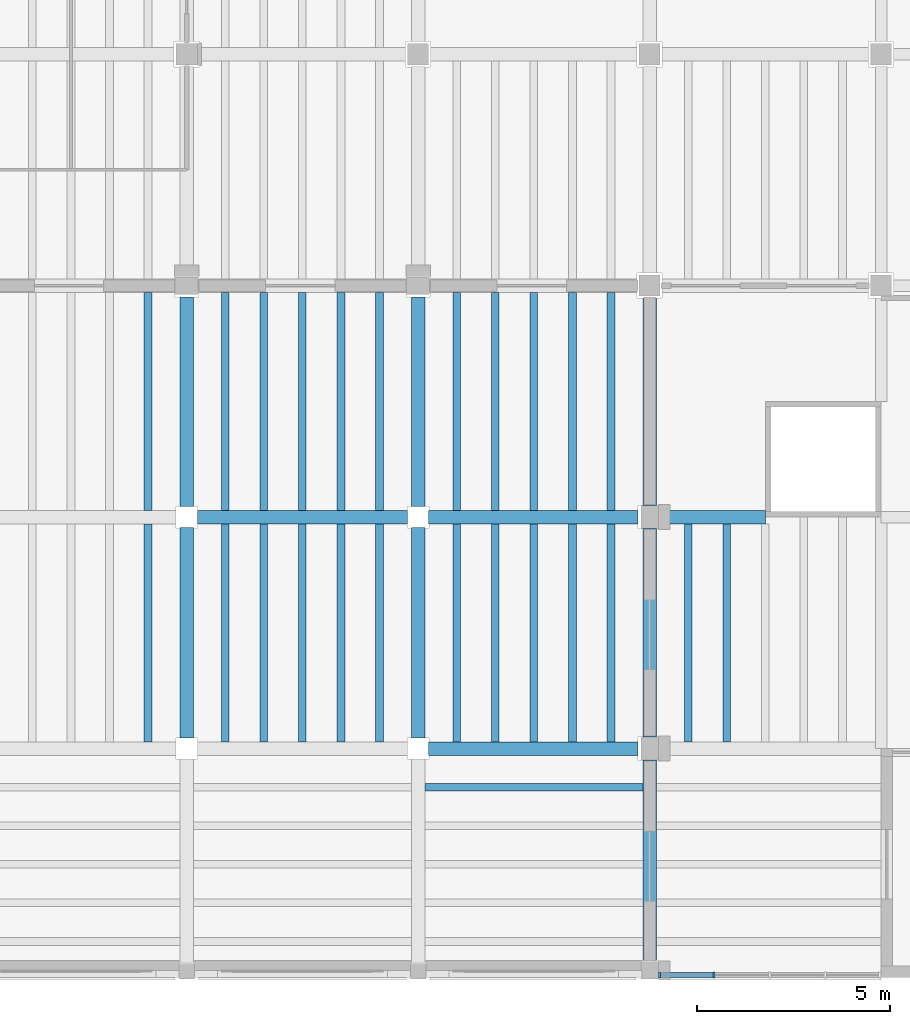
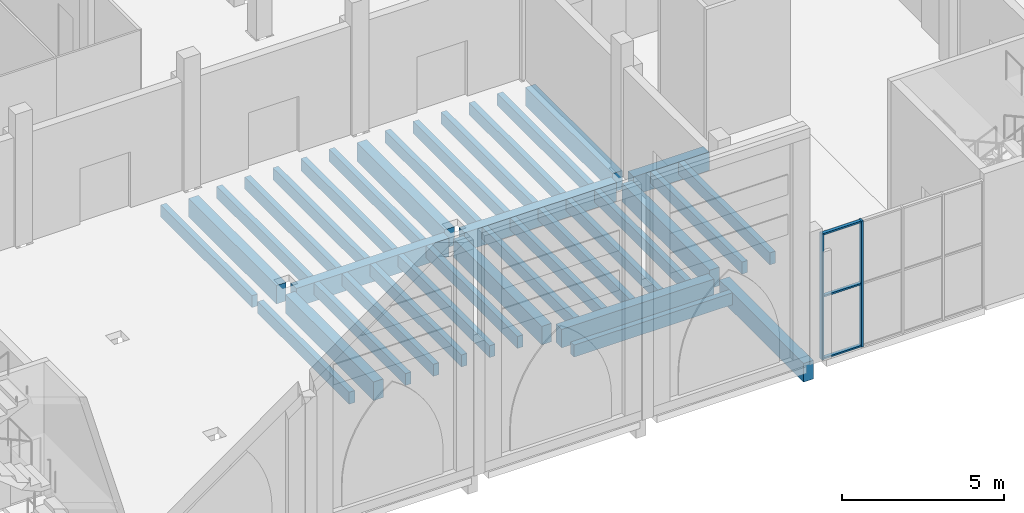
# One storey, part 2 of 80: 36 beams, 5 members, 1 element without a shape of its own.
"""IFC4 building model written with IfcOpenShell, lengths in metres."""

from ifc_helpers import new_model, si_unit, direction, frame, origin, origin_2d, place, context, subcontext, project, spatial, rectangle, extrude, material, material_profile, profile_set, type_object, element, aggregate, save


model = new_model("IFC4")

# Units and contexts
model_context = context("Model", 3, precision=1e-05, world=origin(), true_north=direction((0.0, 1.0)))
body_context = subcontext(model_context, "Body", "Model", "MODEL_VIEW")
ifc_project = project(units=[si_unit("LENGTHUNIT", "METRE"), si_unit("AREAUNIT", "SQUARE_METRE"), si_unit("VOLUMEUNIT", "CUBIC_METRE"), si_unit("PLANEANGLEUNIT", "RADIAN"), si_unit("MASSUNIT", "GRAM", prefix="KILO")], contexts=[model_context])

# Site, building, storey
site_placement = place(None, origin())
site = spatial("IfcSite", under=ifc_project, at=site_placement, CompositionType="ELEMENT")
building_placement = place(site_placement, origin())
building = spatial("IfcBuilding", under=site, at=building_placement, Name="Saffron Lane Theatres", CompositionType="ELEMENT")
storey_placement = place(building_placement, frame((0.0, 0.0, 7.0)))
storey = spatial("IfcBuildingStorey", under=building, at=storey_placement, Name="L01", CompositionType="ELEMENT", Elevation=7.0)

# Curtain wall, members
ifc_material_1 = material(Name="Aluminium", Category="aluminium")
curtain_wall_type = type_object("IfcCurtainWallType", Name="EX-CURTAIN WALL 5770x4750x160", PredefinedType="NOTDEFINED", material=ifc_material_1)
curtain_wall_placement = place(storey_placement, origin())
curtain_wall = element("IfcCurtainWall", 1, at=curtain_wall_placement, inside=storey, type_object=curtain_wall_type, Name="Curtain wall L01 17", PredefinedType="NOTDEFINED")
ifc_material_2 = material(Name="Aluminium", Category="aluminium")
ifc_material_profile_1 = material_profile(ifc_material_2, rectangle(XDim=0.06005859375, YDim=0.159912109375, at=origin_2d()))
ifc_profile_set_1 = profile_set([ifc_material_profile_1], Name="Aluminium")
member_type_1 = type_object("IfcMemberType", Name="EX-CW MULLION 60x160", PredefinedType="MULLION", material=ifc_profile_set_1)
member_1_placement = place(storey_placement, frame((31.668701171875, 0.1298828125, 0.0), z_axis=(0.0, 0.0, 1.0), x_axis=(-1.0, 0.0, 0.0)))
member_1 = element("IfcMember", 2, at=member_1_placement, type_object=member_type_1, Name="CW-01-17 mullion 4", PredefinedType="MULLION", context=body_context, shape_type="SweptSolid", body=[
    extrude(rectangle(XDim=0.06005859375, YDim=0.159912109375, at=origin_2d()), origin(), (0.0, 0.0, 1.0), 4.75),
])
member_2_placement = place(storey_placement, frame((30.255126953125, 0.1298828125, 0.0), z_axis=(0.0, 0.0, 1.0), x_axis=(-1.0, 0.0, 0.0)))
member_2 = element("IfcMember", 3, at=member_2_placement, type_object=member_type_1, Name="CW-01-17 mullion 5", PredefinedType="MULLION", context=body_context, shape_type="SweptSolid", body=[
    extrude(rectangle(XDim=0.06005859375, YDim=0.159912109375, at=origin_2d()), origin(), (0.0, 0.0, 1.0), 4.75),
])
ifc_material_3 = material(Name="Aluminium", Category="aluminium")
ifc_material_profile_2 = material_profile(ifc_material_3, rectangle(XDim=0.1201171875, YDim=0.06005859375, at=origin_2d()))
ifc_profile_set_2 = profile_set([ifc_material_profile_2], Name="Aluminium")
member_type_2 = type_object("IfcMemberType", Name="EX-CW TRANSOM 120x60", PredefinedType="USERDEFINED", material=ifc_profile_set_2)
member_3_placement = place(storey_placement, frame((31.638916015625, 0.1298828125, 0.030029296875), z_axis=(-1.0, 0.0, 0.0), x_axis=(0.0, -1.0, 0.0)))
member_3 = element("IfcMember", 4, at=member_3_placement, type_object=member_type_2, Name="CW-01-17 transom 4.1", ObjectType="TRANSOM", PredefinedType="USERDEFINED", context=body_context, shape_type="SweptSolid", body=[
    extrude(rectangle(XDim=0.1201171875, YDim=0.06005859375, at=origin_2d()), origin(), (0.0, 0.0, 1.0), 1.353759765625),
])
member_4_placement = place(storey_placement, frame((31.638916015625, 0.1298828125, 2.375), z_axis=(-1.0, 0.0, 0.0), x_axis=(0.0, -1.0, 0.0)))
member_4 = element("IfcMember", 5, at=member_4_placement, type_object=member_type_2, Name="CW-01-17 transom 4.2", ObjectType="TRANSOM", PredefinedType="USERDEFINED", context=body_context, shape_type="SweptSolid", body=[
    extrude(rectangle(XDim=0.1201171875, YDim=0.06005859375, at=origin_2d()), origin(), (0.0, 0.0, 1.0), 1.353759765625),
])
member_5_placement = place(storey_placement, frame((31.638916015625, 0.1298828125, 4.719970703125), z_axis=(-1.0, 0.0, 0.0), x_axis=(0.0, -1.0, 0.0)))
member_5 = element("IfcMember", 6, at=member_5_placement, type_object=member_type_2, Name="CW-01-17 transom 4.3", ObjectType="TRANSOM", PredefinedType="USERDEFINED", context=body_context, shape_type="SweptSolid", body=[
    extrude(rectangle(XDim=0.1201171875, YDim=0.06005859375, at=origin_2d()), origin(), (0.0, 0.0, 1.0), 1.353759765625),
])
aggregate(curtain_wall, [member_1, member_2, member_3, member_4, member_5])

# Beams
ifc_material_4 = material(Name="Concrete N40 (40 MPa)", Category="concrete")
ifc_material_profile_3 = material_profile(ifc_material_4, rectangle(XDim=0.35009765625, YDim=0.699951171875, at=origin_2d()))
ifc_profile_set_3 = profile_set([ifc_material_profile_3], Name="Concrete N40 (40 MPa)")
beam_type_1 = type_object("IfcBeamType", Name="RC-BEAM 350x700", PredefinedType="BEAM", material=ifc_profile_set_3)
beam_1_placement = place(storey_placement, frame((24.27490234375, 6.0, -0.60009765625), z_axis=(1.0, 0.0, 0.0), x_axis=(0.0, 1.0, 0.0)))
element("IfcBeam", 7, at=beam_1_placement, inside=storey, type_object=beam_type_1, Name="beam-L01-x60-243", PredefinedType="BEAM", context=body_context, shape_type="SweptSolid", body=[
    extrude(rectangle(XDim=0.35009765625, YDim=0.699951171875, at=origin_2d()), origin(), (0.0, 0.0, 1.0), 5.425048828125),
])
beam_2_placement = place(storey_placement, frame((18.27490234375, 12.0, -0.60009765625), z_axis=(1.0, 0.0, 0.0), x_axis=(0.0, 1.0, 0.0)))
element("IfcBeam", 8, at=beam_2_placement, inside=storey, type_object=beam_type_1, Name="beam-L01-x120-183", PredefinedType="BEAM", context=body_context, shape_type="SweptSolid", body=[
    extrude(rectangle(XDim=0.35009765625, YDim=0.699951171875, at=origin_2d()), origin(), (0.0, 0.0, 1.0), 5.4501953125),
])
beam_3_placement = place(storey_placement, frame((24.27490234375, 12.0, -0.60009765625), z_axis=(1.0, 0.0, 0.0), x_axis=(0.0, 1.0, 0.0)))
element("IfcBeam", 9, at=beam_3_placement, inside=storey, type_object=beam_type_1, Name="beam-L01-x120-243", PredefinedType="BEAM", context=body_context, shape_type="SweptSolid", body=[
    extrude(rectangle(XDim=0.35009765625, YDim=0.699951171875, at=origin_2d()), origin(), (0.0, 0.0, 1.0), 5.425048828125),
])
beam_4_placement = place(storey_placement, frame((30.300048828125, 12.0, -0.60009765625), z_axis=(1.0, 0.0, 0.0), x_axis=(0.0, 1.0, 0.0)))
element("IfcBeam", 10, at=beam_4_placement, inside=storey, type_object=beam_type_1, Name="beam-L01-x120-303", PredefinedType="BEAM", context=body_context, shape_type="SweptSolid", body=[
    extrude(rectangle(XDim=0.35009765625, YDim=0.699951171875, at=origin_2d()), origin(), (0.0, 0.0, 1.0), 2.699951171875),
])
beam_5_placement = place(storey_placement, frame((18.0, 6.27490234375, -0.60009765625), z_axis=(0.0, 1.0, 0.0), x_axis=(-1.0, 0.0, 0.0)))
element("IfcBeam", 11, at=beam_5_placement, inside=storey, type_object=beam_type_1, Name="beam-L01-y180-63", PredefinedType="BEAM", context=body_context, shape_type="SweptSolid", body=[
    extrude(rectangle(XDim=0.35009765625, YDim=0.699951171875, at=origin_2d()), origin(), (0.0, 0.0, 1.0), 5.4501953125),
])
beam_6_placement = place(storey_placement, frame((18.0, 12.27490234375, -0.60009765625), z_axis=(0.0, 1.0, 0.0), x_axis=(-1.0, 0.0, 0.0)))
element("IfcBeam", 12, at=beam_6_placement, inside=storey, type_object=beam_type_1, Name="beam-L01-y180-123", PredefinedType="BEAM", context=body_context, shape_type="SweptSolid", body=[
    extrude(rectangle(XDim=0.35009765625, YDim=0.699951171875, at=origin_2d()), origin(), (0.0, 0.0, 1.0), 5.425048828125),
])
beam_7_placement = place(storey_placement, frame((24.0, 6.27490234375, -0.60009765625), z_axis=(0.0, 1.0, 0.0), x_axis=(-1.0, 0.0, 0.0)))
element("IfcBeam", 13, at=beam_7_placement, inside=storey, type_object=beam_type_1, Name="beam-L01-y240-63", PredefinedType="BEAM", context=body_context, shape_type="SweptSolid", body=[
    extrude(rectangle(XDim=0.35009765625, YDim=0.699951171875, at=origin_2d()), origin(), (0.0, 0.0, 1.0), 5.4501953125),
])
beam_8_placement = place(storey_placement, frame((24.0, 12.27490234375, -0.60009765625), z_axis=(0.0, 1.0, 0.0), x_axis=(-1.0, 0.0, 0.0)))
element("IfcBeam", 14, at=beam_8_placement, inside=storey, type_object=beam_type_1, Name="beam-L01-y240-123", PredefinedType="BEAM", context=body_context, shape_type="SweptSolid", body=[
    extrude(rectangle(XDim=0.35009765625, YDim=0.699951171875, at=origin_2d()), origin(), (0.0, 0.0, 1.0), 5.425048828125),
])
beam_9_placement = place(storey_placement, frame((30.0, 0.50048828125, -0.60009765625), z_axis=(0.0, 1.0, 0.0), x_axis=(-1.0, 0.0, 0.0)))
element("IfcBeam", 15, at=beam_9_placement, inside=storey, type_object=beam_type_1, Name="beam-L01-y300-5", PredefinedType="BEAM", context=body_context, shape_type="SweptSolid", body=[
    extrude(rectangle(XDim=0.35009765625, YDim=0.699951171875, at=origin_2d()), origin(), (0.0, 0.0, 1.0), 5.199462890625),
])
beam_10_placement = place(storey_placement, frame((30.0, 6.300048828125, -0.60009765625), z_axis=(0.0, 1.0, 0.0), x_axis=(-1.0, 0.0, 0.0)))
element("IfcBeam", 16, at=beam_10_placement, inside=storey, type_object=beam_type_1, Name="beam-L01-y300-63", PredefinedType="BEAM", context=body_context, shape_type="SweptSolid", body=[
    extrude(rectangle(XDim=0.35009765625, YDim=0.699951171875, at=origin_2d()), origin(), (0.0, 0.0, 1.0), 5.39990234375),
])
beam_11_placement = place(storey_placement, frame((30.0, 12.300048828125, -0.60009765625), z_axis=(0.0, 1.0, 0.0), x_axis=(-1.0, 0.0, 0.0)))
element("IfcBeam", 17, at=beam_11_placement, inside=storey, type_object=beam_type_1, Name="beam-L01-y300-123", PredefinedType="BEAM", context=body_context, shape_type="SweptSolid", body=[
    extrude(rectangle(XDim=0.35009765625, YDim=0.699951171875, at=origin_2d()), origin(), (0.0, 0.0, 1.0), 5.375),
])
ifc_material_5 = material(Name="Concrete N40 (40 MPa)", Category="concrete")
ifc_material_profile_4 = material_profile(ifc_material_5, rectangle(XDim=0.199951171875, YDim=0.449951171875, at=origin_2d()))
ifc_profile_set_4 = profile_set([ifc_material_profile_4], Name="Concrete N40 (40 MPa)")
beam_type_2 = type_object("IfcBeamType", Name="RC-JOIST 200x450", PredefinedType="JOIST", material=ifc_profile_set_4)
for number, where, z_axis, x_axis, name in (
    (18, (17.0, 6.175048828125, -0.47509765625), (0.0, 1.0, 0.0), (-1.0, 0.0, 0.0), "joist-L01-y1700-62"),
    (19, (17.0, 12.175048828125, -0.47509765625), (0.0, 1.0, 0.0), (-1.0, 0.0, 0.0), "joist-L01-y1700-122"),
    (20, (19.0, 6.175048828125, -0.47509765625), (0.0, 1.0, 0.0), (-1.0, 0.0, 0.0), "joist-L01-y1900-62"),
    (21, (20.0, 6.175048828125, -0.47509765625), (0.0, 1.0, 0.0), (-1.0, 0.0, 0.0), "joist-L01-y2000-62"),
    (22, (21.0, 6.175048828125, -0.47509765625), (0.0, 1.0, 0.0), (-1.0, 0.0, 0.0), "joist-L01-y2100-62"),
    (23, (22.0, 6.175048828125, -0.47509765625), (0.0, 1.0, 0.0), (-1.0, 0.0, 0.0), "joist-L01-y2200-62"),
    (24, (23.0, 6.175048828125, -0.47509765625), (0.0, 1.0, 0.0), (-1.0, 0.0, 0.0), "joist-L01-y2300-62"),
    (25, (19.0, 12.175048828125, -0.47509765625), (0.0, 1.0, 0.0), (-1.0, 0.0, 0.0), "joist-L01-y1900-122"),
    (26, (20.0, 12.175048828125, -0.47509765625), (0.0, 1.0, 0.0), (-1.0, 0.0, 0.0), "joist-L01-y2000-122"),
    (27, (21.0, 12.175048828125, -0.47509765625), (0.0, 1.0, 0.0), (-1.0, 0.0, 0.0), "joist-L01-y2100-122"),
    (28, (22.0, 12.175048828125, -0.47509765625), (0.0, 1.0, 0.0), (-1.0, 0.0, 0.0), "joist-L01-y2200-122"),
    (29, (23.0, 12.175048828125, -0.47509765625), (0.0, 1.0, 0.0), (-1.0, 0.0, 0.0), "joist-L01-y2300-122"),
    (30, (24.175048828125, 5.0, -0.47509765625), (1.0, 0.0, 0.0), (0.0, 1.0, 0.0), "joist-L01-x500-242"),
    (31, (25.0, 6.175048828125, -0.47509765625), (0.0, 1.0, 0.0), (-1.0, 0.0, 0.0), "joist-L01-y2500-62"),
    (32, (26.0, 6.175048828125, -0.47509765625), (0.0, 1.0, 0.0), (-1.0, 0.0, 0.0), "joist-L01-y2600-62"),
    (33, (27.0, 6.175048828125, -0.47509765625), (0.0, 1.0, 0.0), (-1.0, 0.0, 0.0), "joist-L01-y2700-62"),
    (34, (28.0, 6.175048828125, -0.47509765625), (0.0, 1.0, 0.0), (-1.0, 0.0, 0.0), "joist-L01-y2800-62"),
    (35, (29.0, 6.175048828125, -0.47509765625), (0.0, 1.0, 0.0), (-1.0, 0.0, 0.0), "joist-L01-y2900-62"),
    (36, (25.0, 12.175048828125, -0.47509765625), (0.0, 1.0, 0.0), (-1.0, 0.0, 0.0), "joist-L01-y2500-122"),
    (37, (26.0, 12.175048828125, -0.47509765625), (0.0, 1.0, 0.0), (-1.0, 0.0, 0.0), "joist-L01-y2600-122"),
    (38, (27.0, 12.175048828125, -0.47509765625), (0.0, 1.0, 0.0), (-1.0, 0.0, 0.0), "joist-L01-y2700-122"),
    (39, (28.0, 12.175048828125, -0.47509765625), (0.0, 1.0, 0.0), (-1.0, 0.0, 0.0), "joist-L01-y2800-122"),
    (40, (29.0, 12.175048828125, -0.47509765625), (0.0, 1.0, 0.0), (-1.0, 0.0, 0.0), "joist-L01-y2900-122"),
    (41, (31.0, 6.175048828125, -0.47509765625), (0.0, 1.0, 0.0), (-1.0, 0.0, 0.0), "joist-L01-y3100-62"),
    (42, (32.0, 6.175048828125, -0.47509765625), (0.0, 1.0, 0.0), (-1.0, 0.0, 0.0), "joist-L01-y3200-62"),
):
    element("IfcBeam", number, at=place(storey_placement, frame(where, z_axis=z_axis, x_axis=x_axis)), inside=storey, type_object=beam_type_2, Name=name, PredefinedType="JOIST", context=body_context, shape_type="SweptSolid", body=[
        extrude(rectangle(XDim=0.199951171875, YDim=0.449951171875, at=origin_2d()), origin(), (0.0, 0.0, 1.0), 5.64990234375),
    ])

save(model, "model.ifc")
